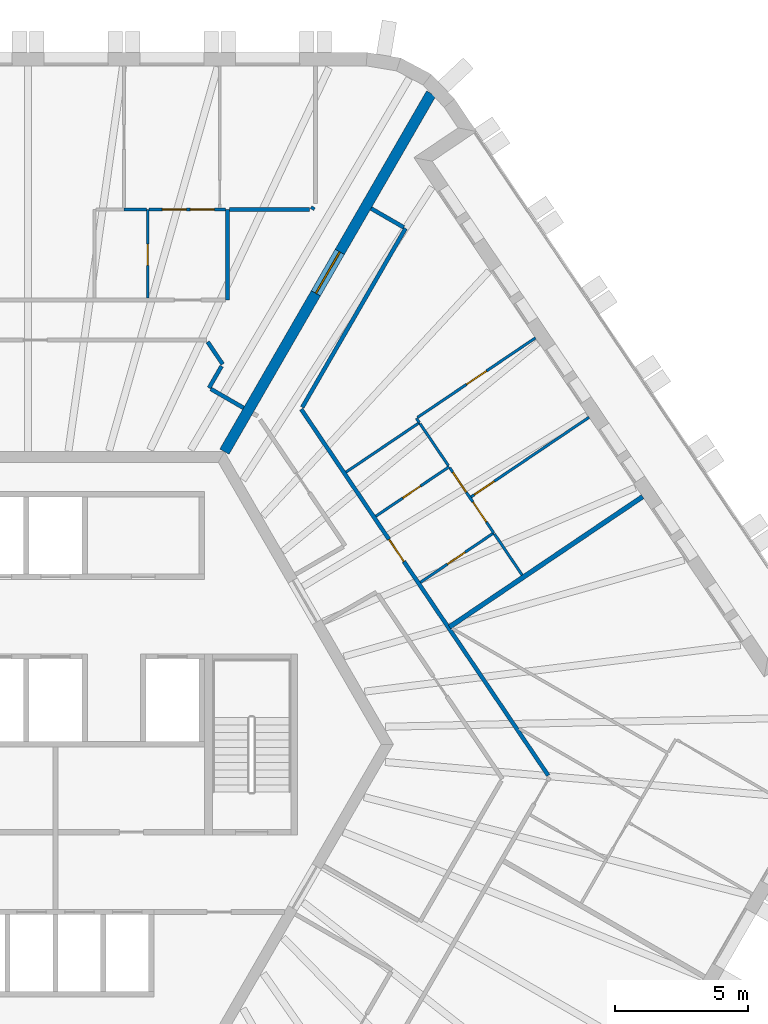
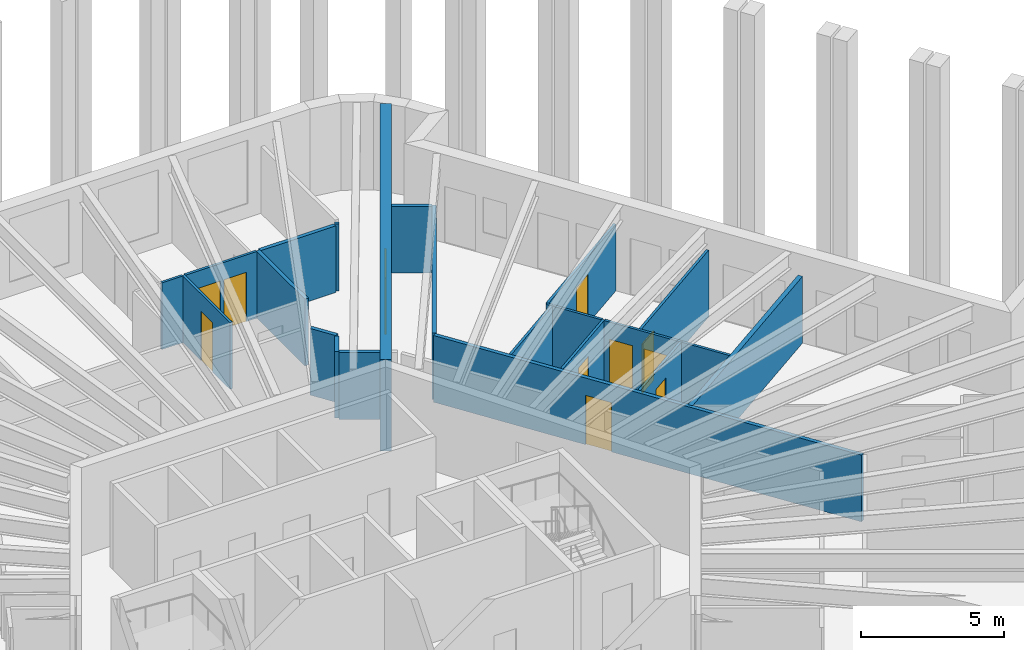
# One storey, part 10 of 13: 23 walls, 11 doors, 11 openings.
"""IFC4 building model written with IfcOpenShell, lengths in metres."""

from ifc_helpers import new_model, si_unit, direction, frame, frame_2d, origin, place, context, subcontext, project, spatial, rectangle, extrude, material, layer, layer_set, type_object, element, fill, save


model = new_model("IFC4")

# Units and contexts
model_context = context("Model", 3, precision=1e-05, world=origin(), true_north=direction((0.0, 1.0)))
body_context = subcontext(model_context, "Body", "Model", "MODEL_VIEW")
ifc_project = project(units=[si_unit("LENGTHUNIT", "METRE"), si_unit("AREAUNIT", "SQUARE_METRE"), si_unit("VOLUMEUNIT", "CUBIC_METRE"), si_unit("PLANEANGLEUNIT", "RADIAN"), si_unit("MASSUNIT", "GRAM", prefix="KILO")], contexts=[model_context])

# Site, building, storey
site_placement = place(None, origin())
site = spatial("IfcSite", under=ifc_project, at=site_placement, CompositionType="ELEMENT")
building_placement = place(site_placement, origin())
building = spatial("IfcBuilding", under=site, at=building_placement, Name="Tarnside Tower", CompositionType="ELEMENT")
storey_placement = place(building_placement, frame((0.0, 0.0, 326.39990234375)))
storey = spatial("IfcBuildingStorey", under=building, at=storey_placement, Name="L79", CompositionType="ELEMENT", Elevation=326.39990234375)

# Wall, opening, door
ifc_material_1 = material(Name="Gypsum board partition on steel studs", Category="steel")
ifc_layer_1 = layer(ifc_material_1, 0.10009765625)
ifc_layer_set_1 = layer_set([ifc_layer_1], Name="Bathroom wall 100")
wall_type_1 = type_object("IfcWallType", Name="Bathroom wall 100", PredefinedType="PARTITIONING", material=ifc_layer_set_1)
wall_1_placement = place(storey_placement, frame((3.467041015625, 20.10009765625, 0.0), z_axis=(0.0, 0.0, 1.0), x_axis=(0.0, -1.0, 0.0)))
wall_1 = element("IfcWall", 1, at=wall_1_placement, inside=storey, type_object=wall_type_1, Name="Bathroom wall 26089", PredefinedType="PARTITIONING", context=body_context, shape_type="SweptSolid", body=[
    extrude(rectangle(XDim=3.3251953125, YDim=0.10009765625, at=frame_2d((1.66259765625, 0.0))), origin(), (0.0, 0.0, 1.0), 2.837890625),
])
opening_1_placement = place(wall_1_placement, frame((1.300048828125, 0.0, 0.0)))
opening_1 = element("IfcOpeningElement", 2, at=opening_1_placement, cuts=wall_1, Name="Opening D-B1", PredefinedType="OPENING", context=body_context, shape_type="SweptSolid", body=[
    extrude(rectangle(XDim=0.800048828125, YDim=2.10009765625, at=frame_2d((0.39990234375, 1.050048828125))), frame((0.0, 0.06005859375, 0.0), z_axis=(0.0, -1.0, 0.0), x_axis=(1.0, 0.0, 0.0)), (0.0, 0.0, 1.0), 0.1201171875),
])
ifc_material_2 = material(Name="Timber door leaf", Category="wood")
door_type_1 = type_object("IfcDoorType", Name="Bathroom door 800", OperationType="NOTDEFINED", PredefinedType="DOOR", material=ifc_material_2)
door_1_placement = place(opening_1_placement, origin())
door_1 = element("IfcDoor", 3, at=door_1_placement, inside=storey, type_object=door_type_1, Name="Bathroom door 26002", OperationType="SINGLE_SWING_LEFT", OverallHeight=2.10009765625, OverallWidth=0.800048828125, PredefinedType="DOOR", context=body_context, shape_type="SweptSolid", body=[
    extrude(rectangle(XDim=0.800048828125, YDim=2.10009765625, at=frame_2d((0.39990234375, 1.050048828125))), frame((0.0, 0.02490234375, 0.0), z_axis=(0.0, -1.0, 0.0), x_axis=(1.0, 0.0, 0.0)), (0.0, 0.0, 1.0), 0.050048828125),
])
fill(opening_1, door_1)

# Walls
wall_2_placement = place(storey_placement, frame((3.419189453125, 20.10009765625, 0.0), z_axis=(0.0, 0.0, 1.0), x_axis=(-1.0, 0.0, 0.0)))
element("IfcWall", 4, at=wall_2_placement, inside=storey, type_object=wall_type_1, Name="Bathroom wall 26092", PredefinedType="PARTITIONING", context=body_context, shape_type="SweptSolid", body=[
    extrude(rectangle(XDim=0.843994140625, YDim=0.10009765625, at=frame_2d((0.421875, 0.0))), origin(), (0.0, 0.0, 1.0), 2.837890625),
])
wall_3_placement = place(storey_placement, frame((10.9208984375, 10.231201171875, 0.0), z_axis=(0.0, 0.0, 1.0), x_axis=(0.829010378124, 0.559233218759, 0.0)))
element("IfcWall", 5, at=wall_3_placement, inside=storey, type_object=wall_type_1, Name="Bathroom wall 26162", PredefinedType="PARTITIONING", context=body_context, shape_type="SweptSolid", body=[
    extrude(rectangle(XDim=3.324951171875, YDim=0.10009765625, at=frame_2d((1.66259765625, 0.0))), origin(), (0.0, 0.0, 1.0), 2.837890625),
])

# Wall, opening, door
wall_4_placement = place(storey_placement, frame((13.716796875, 6.086181640625, 0.0), z_axis=(0.0, 0.0, 1.0), x_axis=(0.829067379225, 0.559148710725, 0.0)))
wall_4 = element("IfcWall", 6, at=wall_4_placement, inside=storey, type_object=wall_type_1, Name="Bathroom wall 26163", PredefinedType="PARTITIONING", context=body_context, shape_type="SweptSolid", body=[
    extrude(rectangle(XDim=3.324951171875, YDim=0.10009765625, at=frame_2d((1.66259765625, 0.0))), origin(), (0.0, 0.0, 1.0), 2.837890625),
])
opening_2_placement = place(wall_4_placement, frame((1.22509765625, 0.0, 0.0)))
opening_2 = element("IfcOpeningElement", 7, at=opening_2_placement, cuts=wall_4, Name="Opening D-B1", PredefinedType="OPENING", context=body_context, shape_type="SweptSolid", body=[
    extrude(rectangle(XDim=0.800048828125, YDim=2.10009765625, at=frame_2d((0.39990234375, 1.050048828125))), frame((0.0, 0.06005859375, 0.0), z_axis=(0.0, -1.0, 0.0), x_axis=(1.0, 0.0, 0.0)), (0.0, 0.0, 1.0), 0.1201171875),
])
door_2_placement = place(opening_2_placement, origin())
door_2 = element("IfcDoor", 8, at=door_2_placement, inside=storey, type_object=door_type_1, Name="Bathroom door 26062", OperationType="SINGLE_SWING_RIGHT", OverallHeight=2.10009765625, OverallWidth=0.800048828125, PredefinedType="DOOR", context=body_context, shape_type="SweptSolid", body=[
    extrude(rectangle(XDim=0.800048828125, YDim=2.10009765625, at=frame_2d((0.39990234375, 1.050048828125))), frame((0.0, 0.02490234375, 0.0), z_axis=(0.0, -1.0, 0.0), x_axis=(1.0, 0.0, 0.0)), (0.0, 0.0, 1.0), 0.050048828125),
])
fill(opening_2, door_2)

wall_5_placement = place(storey_placement, frame((14.795654296875, 10.4326171875, 0.0), z_axis=(0.0, 0.0, 1.0), x_axis=(-0.82903334026, -0.559199178055, 0.0)))
wall_5 = element("IfcWall", 9, at=wall_5_placement, inside=storey, type_object=wall_type_1, Name="Bathroom wall 26166", PredefinedType="PARTITIONING", context=body_context, shape_type="SweptSolid", body=[
    extrude(rectangle(XDim=3.324951171875, YDim=0.10009765625, at=frame_2d((1.66259765625, 0.0))), origin(), (0.0, 0.0, 1.0), 2.837890625),
])
opening_3_placement = place(wall_5_placement, frame((1.300048828125, 0.0, 0.0)))
opening_3 = element("IfcOpeningElement", 10, at=opening_3_placement, cuts=wall_5, Name="Opening D-B1", PredefinedType="OPENING", context=body_context, shape_type="SweptSolid", body=[
    extrude(rectangle(XDim=0.800048828125, YDim=2.10009765625, at=frame_2d((0.39990234375, 1.050048828125))), frame((0.0, 0.06005859375, 0.0), z_axis=(0.0, -1.0, 0.0), x_axis=(1.0, 0.0, 0.0)), (0.0, 0.0, 1.0), 0.1201171875),
])
door_3_placement = place(opening_3_placement, origin())
door_3 = element("IfcDoor", 11, at=door_3_placement, inside=storey, type_object=door_type_1, Name="Bathroom door 26069", OperationType="SINGLE_SWING_LEFT", OverallHeight=2.10009765625, OverallWidth=0.800048828125, PredefinedType="DOOR", context=body_context, shape_type="SweptSolid", body=[
    extrude(rectangle(XDim=0.800048828125, YDim=2.10009765625, at=frame_2d((0.39990234375, 1.050048828125))), frame((0.0, 0.02490234375, 0.0), z_axis=(0.0, -1.0, 0.0), x_axis=(1.0, 0.0, 0.0)), (0.0, 0.0, 1.0), 0.050048828125),
])
fill(opening_3, door_3)

# Walls
wall_6_placement = place(storey_placement, frame((17.541259765625, 6.36181640625, 0.0), z_axis=(0.0, 0.0, 1.0), x_axis=(-0.559110227504, 0.829093332201, 0.0)))
element("IfcWall", 12, at=wall_6_placement, inside=storey, type_object=wall_type_1, Name="Bathroom wall 26167", PredefinedType="PARTITIONING", context=body_context, shape_type="SweptSolid", body=[
    extrude(rectangle(XDim=1.86181640625, YDim=0.10009765625, at=frame_2d((0.930908203125, 0.0))), origin(), (0.0, 0.0, 1.0), 2.837890625),
])
wall_7_placement = place(storey_placement, frame((13.705322265625, 12.049072265625, 0.0), z_axis=(0.0, 0.0, 1.0), x_axis=(0.559199178055, -0.82903334026, 0.0)))
element("IfcWall", 13, at=wall_7_placement, inside=storey, type_object=wall_type_1, Name="Bathroom wall 26169", PredefinedType="PARTITIONING", context=body_context, shape_type="SweptSolid", body=[
    extrude(rectangle(XDim=1.900146484375, YDim=0.10009765625, at=frame_2d((0.9501953125, 0.0))), origin(), (0.0, 0.0, 1.0), 2.837890625),
])

# Wall, opening, door
ifc_material_3 = material(Name="Concrete C60/75", Category="concrete")
ifc_layer_2 = layer(ifc_material_3, 0.39990234375)
ifc_layer_set_2 = layer_set([ifc_layer_2], Name="Core wall Z3 400 C60/75")
wall_type_2 = type_object("IfcWallType", Name="Core wall Z3 400 C60/75", PredefinedType="SHEAR", material=ifc_layer_set_2)
wall_8_placement = place(storey_placement, frame((6.350830078125, 11.0, -0.14990234375), z_axis=(0.0, 0.0, 1.0), x_axis=(0.499998894578, 0.866026041999, 0.0)))
wall_8 = element("IfcWall", 14, at=wall_8_placement, inside=storey, type_object=wall_type_2, Name="L79 spine wall 1", PredefinedType="SHEAR", context=body_context, shape_type="SweptSolid", body=[
    extrude(rectangle(XDim=15.54443359375, YDim=0.39990234375, at=frame_2d((7.772216796875, 0.0))), origin(), (0.0, 0.0, 1.0), 3.89990234375),
])
opening_4_placement = place(wall_8_placement, frame((6.872314453125, 0.0, 0.14990234375)))
opening_4 = element("IfcOpeningElement", 15, at=opening_4_placement, cuts=wall_8, Name="Opening CD-SPN", PredefinedType="OPENING", context=body_context, shape_type="SweptSolid", body=[
    extrude(rectangle(XDim=1.800048828125, YDim=2.39990234375, at=frame_2d((0.89990234375, 1.199951171875))), frame((0.0, 0.2099609375, 0.0), z_axis=(0.0, -1.0, 0.0), x_axis=(1.0, 0.0, 0.0)), (0.0, 0.0, 1.0), 0.419921875),
])
ifc_material_4 = material(Name="Steel fire door", Category="steel")
door_type_2 = type_object("IfcDoorType", Name="Spine passage double door FD60 1800x2400", OperationType="NOTDEFINED", PredefinedType="DOOR", material=ifc_material_4)
door_4_placement = place(opening_4_placement, origin())
door_4 = element("IfcDoor", 16, at=door_4_placement, inside=storey, type_object=door_type_2, Name="L79 spine passage door 1", OperationType="DOUBLE_DOOR_SINGLE_SWING", OverallHeight=2.39990234375, OverallWidth=1.800048828125, PredefinedType="DOOR", context=body_context, shape_type="SweptSolid", body=[
    extrude(rectangle(XDim=1.800048828125, YDim=2.39990234375, at=frame_2d((0.89990234375, 1.199951171875))), frame((0.0, 0.02490234375, 0.0), z_axis=(0.0, -1.0, 0.0), x_axis=(1.0, 0.0, 0.0)), (0.0, 0.0, 1.0), 0.050048828125),
])
fill(opening_4, door_4)

# Walls
ifc_layer_3 = layer(ifc_material_1, 0.14990234375)
ifc_layer_set_3 = layer_set([ifc_layer_3], Name="Corridor wall 150 EI 60")
wall_type_3 = type_object("IfcWallType", Name="Corridor wall 150 EI 60", PredefinedType="PARTITIONING", material=ifc_layer_set_3)
wall_9_placement = place(storey_placement, frame((6.467041015625, 20.10009765625, 0.0), z_axis=(0.0, 0.0, 1.0), x_axis=(0.0, -1.0, 0.0)))
element("IfcWall", 17, at=wall_9_placement, inside=storey, type_object=wall_type_3, Name="Corridor wall 26002", PredefinedType="PARTITIONING", context=body_context, shape_type="SweptSolid", body=[
    extrude(rectangle(XDim=3.400146484375, YDim=0.14990234375, at=frame_2d((1.7001953125, 0.0))), origin(), (0.0, 0.0, 1.0), 2.837890625),
])
wall_10_placement = place(storey_placement, frame((9.7001953125, 20.201171875, 0.0), z_axis=(0.0, 0.0, 1.0), x_axis=(-0.49996389635, -0.866046247233, 0.0)))
element("IfcWall", 18, at=wall_10_placement, inside=storey, type_object=wall_type_3, Name="Corridor wall 26006", PredefinedType="PARTITIONING", context=body_context, shape_type="SweptSolid", body=[
    extrude(rectangle(XDim=0.11669921875, YDim=0.14990234375, at=frame_2d((0.058349609375, 0.0))), origin(), (0.0, 0.0, 1.0), 2.837890625),
])
wall_11_placement = place(storey_placement, frame((9.55517578125, 20.10009765625, 0.0), z_axis=(0.0, 0.0, 1.0), x_axis=(-1.0, 0.0, 0.0)))
element("IfcWall", 19, at=wall_11_placement, inside=storey, type_object=wall_type_3, Name="Corridor wall 26007", PredefinedType="PARTITIONING", context=body_context, shape_type="SweptSolid", body=[
    extrude(rectangle(XDim=3.0166015625, YDim=0.14990234375, at=frame_2d((1.50830078125, 0.0))), origin(), (0.0, 0.0, 1.0), 2.837890625),
])
wall_12_placement = place(storey_placement, frame((5.72021484375, 15.125, 0.0), z_axis=(0.0, 0.0, 1.0), x_axis=(0.559095340605, -0.829103371187, 0.0)))
element("IfcWall", 20, at=wall_12_placement, inside=storey, type_object=wall_type_3, Name="Corridor wall 26020", PredefinedType="PARTITIONING", context=body_context, shape_type="SweptSolid", body=[
    extrude(rectangle(XDim=1.010986328125, YDim=0.14990234375, at=frame_2d((0.50537109375, 0.0))), origin(), (0.0, 0.0, 1.0), 2.837890625),
])
wall_13_placement = place(storey_placement, frame((6.243896484375, 14.214599609375, 0.0), z_axis=(0.0, 0.0, 1.0), x_axis=(-0.499998034377, -0.866026538634, 0.0)))
element("IfcWall", 21, at=wall_13_placement, inside=storey, type_object=wall_type_3, Name="Corridor wall 26021", PredefinedType="PARTITIONING", context=body_context, shape_type="SweptSolid", body=[
    extrude(rectangle(XDim=0.94580078125, YDim=0.14990234375, at=frame_2d((0.472900390625, 0.0))), origin(), (0.0, 0.0, 1.0), 2.837890625),
])
wall_14_placement = place(storey_placement, frame((5.8359375, 13.358154296875, 0.0), z_axis=(0.0, 0.0, 1.0), x_axis=(0.865988727248, -0.500063520245, 0.0)))
element("IfcWall", 22, at=wall_14_placement, inside=storey, type_object=wall_type_3, Name="Corridor wall 26022", PredefinedType="PARTITIONING", context=body_context, shape_type="SweptSolid", body=[
    extrude(rectangle(XDim=1.425048828125, YDim=0.14990234375, at=frame_2d((0.71240234375, 0.0))), origin(), (0.0, 0.0, 1.0), 2.837890625),
])

# Wall, opening, door
wall_15_placement = place(storey_placement, frame((18.52099609375, -1.170654296875, 0.0), z_axis=(0.0, 0.0, 1.0), x_axis=(-0.559191021435, 0.829038842001, 0.0)))
wall_15 = element("IfcWall", 23, at=wall_15_placement, inside=storey, type_object=wall_type_3, Name="Corridor wall 26063", PredefinedType="PARTITIONING", context=body_context, shape_type="SweptSolid", body=[
    extrude(rectangle(XDim=16.60546875, YDim=0.14990234375, at=frame_2d((8.302734375, 0.0))), origin(), (0.0, 0.0, 1.0), 2.837890625),
])
opening_5_placement = place(wall_15_placement, frame((9.70263671875, 0.0, 0.0)))
opening_5 = element("IfcOpeningElement", 24, at=opening_5_placement, cuts=wall_15, Name="Opening D-E1", PredefinedType="OPENING", context=body_context, shape_type="SweptSolid", body=[
    extrude(rectangle(XDim=1.0, YDim=2.10009765625, at=frame_2d((0.5, 1.050048828125))), frame((0.0, 0.0849609375, 0.0), z_axis=(0.0, -1.0, 0.0), x_axis=(1.0, 0.0, 0.0)), (0.0, 0.0, 1.0), 0.169921875),
])
door_type_3 = type_object("IfcDoorType", Name="Unit entrance door 1000 FD30S", OperationType="NOTDEFINED", PredefinedType="DOOR", material=ifc_material_2)
door_5_placement = place(opening_5_placement, origin())
door_5 = element("IfcDoor", 25, at=door_5_placement, inside=storey, type_object=door_type_3, Name="Unit door 26061", OperationType="SINGLE_SWING_RIGHT", OverallHeight=2.10009765625, OverallWidth=1.0, PredefinedType="DOOR", context=body_context, shape_type="SweptSolid", body=[
    extrude(rectangle(XDim=1.0, YDim=2.10009765625, at=frame_2d((0.5, 1.050048828125))), frame((0.0, 0.02490234375, 0.0), z_axis=(0.0, -1.0, 0.0), x_axis=(1.0, 0.0, 0.0)), (0.0, 0.0, 1.0), 0.050048828125),
])
fill(opening_5, door_5)

# Walls
wall_16_placement = place(storey_placement, frame((9.277099609375, 12.668212890625, 0.0), z_axis=(0.0, 0.0, 1.0), x_axis=(0.499991012162, 0.866030592853, 0.0)))
element("IfcWall", 26, at=wall_16_placement, inside=storey, type_object=wall_type_3, Name="Corridor wall 26067", PredefinedType="PARTITIONING", context=body_context, shape_type="SweptSolid", body=[
    extrude(rectangle(XDim=7.764404296875, YDim=0.14990234375, at=frame_2d((3.88232421875, 0.0))), origin(), (0.0, 0.0, 1.0), 2.837890625),
])
wall_17_placement = place(storey_placement, frame((13.09423828125, 19.429931640625, 0.0), z_axis=(0.0, 0.0, 1.0), x_axis=(-0.866062911188, 0.499935029643, 0.0)))
element("IfcWall", 27, at=wall_17_placement, inside=storey, type_object=wall_type_3, Name="Corridor wall 26068", PredefinedType="PARTITIONING", context=body_context, shape_type="SweptSolid", body=[
    extrude(rectangle(XDim=1.425048828125, YDim=0.14990234375, at=frame_2d((0.71240234375, 0.0))), origin(), (0.0, 0.0, 1.0), 2.837890625),
])
ifc_layer_4 = layer(ifc_material_1, 0.179931640625)
ifc_layer_set_4 = layer_set([ifc_layer_4], Name="Demising wall 180 EI 60")
wall_type_4 = type_object("IfcWallType", Name="Demising wall 180 EI 60", PredefinedType="PARTITIONING", material=ifc_layer_set_4)
wall_18_placement = place(storey_placement, frame((22.068603515625, 9.306884765625, 0.0), z_axis=(0.0, 0.0, 1.0), x_axis=(-0.829040270775, -0.559188903174, 0.0)))
element("IfcWall", 28, at=wall_18_placement, inside=storey, type_object=wall_type_4, Name="Demising wall 26151", PredefinedType="PARTITIONING", context=body_context, shape_type="SweptSolid", body=[
    extrude(rectangle(XDim=8.7578125, YDim=0.179931640625, at=frame_2d((4.37890625, 0.0))), origin(), (0.0, 0.0, 1.0), 2.837890625),
])

# Wall, openings, doors
ifc_layer_5 = layer(ifc_material_1, 0.10009765625)
ifc_layer_set_5 = layer_set([ifc_layer_5], Name="Partition 100")
wall_type_5 = type_object("IfcWallType", Name="Partition 100", PredefinedType="PARTITIONING", material=ifc_layer_set_5)
wall_19_placement = place(storey_placement, frame((6.39404296875, 20.10009765625, 0.0), z_axis=(0.0, 0.0, 1.0), x_axis=(-1.0, 0.0, 0.0)))
wall_19 = element("IfcWall", 29, at=wall_19_placement, inside=storey, type_object=wall_type_5, Name="Partition wall 26090", PredefinedType="PARTITIONING", context=body_context, shape_type="SweptSolid", body=[
    extrude(rectangle(XDim=2.87890625, YDim=0.10009765625, at=frame_2d((1.439453125, 0.0))), origin(), (0.0, 0.0, 1.0), 2.837890625),
])
opening_6_placement = place(wall_19_placement, frame((0.4189453125, 0.0, 0.0)))
opening_6 = element("IfcOpeningElement", 30, at=opening_6_placement, cuts=wall_19, Name="Opening D-I1", PredefinedType="OPENING", context=body_context, shape_type="SweptSolid", body=[
    extrude(rectangle(XDim=0.89990234375, YDim=2.10009765625, at=frame_2d((0.449951171875, 1.050048828125))), frame((0.0, 0.06005859375, 0.0), z_axis=(0.0, -1.0, 0.0), x_axis=(1.0, 0.0, 0.0)), (0.0, 0.0, 1.0), 0.1201171875),
])
opening_7_placement = place(wall_19_placement, frame((1.472900390625, 0.0, 0.0)))
opening_7 = element("IfcOpeningElement", 31, at=opening_7_placement, cuts=wall_19, Name="Opening D-I1", PredefinedType="OPENING", context=body_context, shape_type="SweptSolid", body=[
    extrude(rectangle(XDim=0.89990234375, YDim=2.10009765625, at=frame_2d((0.449951171875, 1.050048828125))), frame((0.0, 0.06005859375, 0.0), z_axis=(0.0, -1.0, 0.0), x_axis=(1.0, 0.0, 0.0)), (0.0, 0.0, 1.0), 0.1201171875),
])
door_type_4 = type_object("IfcDoorType", Name="Internal door 900", OperationType="NOTDEFINED", PredefinedType="DOOR", material=ifc_material_2)
door_6_placement = place(opening_6_placement, origin())
door_6 = element("IfcDoor", 32, at=door_6_placement, inside=storey, type_object=door_type_4, Name="Internal door 26005", OperationType="SINGLE_SWING_LEFT", OverallHeight=2.10009765625, OverallWidth=0.89990234375, PredefinedType="DOOR", context=body_context, shape_type="SweptSolid", body=[
    extrude(rectangle(XDim=0.89990234375, YDim=2.10009765625, at=frame_2d((0.449951171875, 1.050048828125))), frame((0.0, 0.02490234375, 0.0), z_axis=(0.0, -1.0, 0.0), x_axis=(1.0, 0.0, 0.0)), (0.0, 0.0, 1.0), 0.050048828125),
])
fill(opening_6, door_6)
door_7_placement = place(opening_7_placement, origin())
door_7 = element("IfcDoor", 33, at=door_7_placement, inside=storey, type_object=door_type_4, Name="Internal door 26009", OperationType="SINGLE_SWING_LEFT", OverallHeight=2.10009765625, OverallWidth=0.89990234375, PredefinedType="DOOR", context=body_context, shape_type="SweptSolid", body=[
    extrude(rectangle(XDim=0.89990234375, YDim=2.10009765625, at=frame_2d((0.449951171875, 1.050048828125))), frame((0.0, 0.02490234375, 0.0), z_axis=(0.0, -1.0, 0.0), x_axis=(1.0, 0.0, 0.0)), (0.0, 0.0, 1.0), 0.050048828125),
])
fill(opening_7, door_7)

# Wall
wall_20_placement = place(storey_placement, frame((13.678466796875, 12.0888671875, 0.0), z_axis=(0.0, 0.0, 1.0), x_axis=(-0.559431350648, 0.828876688001, 0.0)))
element("IfcWall", 34, at=wall_20_placement, inside=storey, type_object=wall_type_5, Name="Partition wall 26160", PredefinedType="PARTITIONING", context=body_context, shape_type="SweptSolid", body=[
    extrude(rectangle(XDim=0.2021484375, YDim=0.10009765625, at=frame_2d((0.10107421875, 0.0))), origin(), (0.0, 0.0, 1.0), 2.837890625),
])

# Wall, opening, door
wall_21_placement = place(storey_placement, frame((13.60693359375, 12.284423828125, 0.0), z_axis=(0.0, 0.0, 1.0), x_axis=(0.829033261565, 0.559199294722, 0.0)))
wall_21 = element("IfcWall", 35, at=wall_21_placement, inside=storey, type_object=wall_type_5, Name="Partition wall 26161", PredefinedType="PARTITIONING", context=body_context, shape_type="SweptSolid", body=[
    extrude(rectangle(XDim=5.349853515625, YDim=0.10009765625, at=frame_2d((2.6748046875, 0.0))), origin(), (0.0, 0.0, 1.0), 2.837890625),
])
opening_8_placement = place(wall_21_placement, frame((2.22509765625, 0.0, 0.0)))
opening_8 = element("IfcOpeningElement", 36, at=opening_8_placement, cuts=wall_21, Name="Opening D-I1", PredefinedType="OPENING", context=body_context, shape_type="SweptSolid", body=[
    extrude(rectangle(XDim=0.89990234375, YDim=2.10009765625, at=frame_2d((0.449951171875, 1.050048828125))), frame((0.0, 0.06005859375, 0.0), z_axis=(0.0, -1.0, 0.0), x_axis=(1.0, 0.0, 0.0)), (0.0, 0.0, 1.0), 0.1201171875),
])
door_8_placement = place(opening_8_placement, origin())
door_8 = element("IfcDoor", 37, at=door_8_placement, inside=storey, type_object=door_type_4, Name="Internal door 26071", OperationType="SINGLE_SWING_RIGHT", OverallHeight=2.10009765625, OverallWidth=0.89990234375, PredefinedType="DOOR", context=body_context, shape_type="SweptSolid", body=[
    extrude(rectangle(XDim=0.89990234375, YDim=2.10009765625, at=frame_2d((0.449951171875, 1.050048828125))), frame((0.0, 0.02490234375, 0.0), z_axis=(0.0, -1.0, 0.0), x_axis=(1.0, 0.0, 0.0)), (0.0, 0.0, 1.0), 0.050048828125),
])
fill(opening_8, door_8)

# Wall, openings, doors
wall_22_placement = place(storey_placement, frame((16.474365234375, 7.94384765625, 0.0), z_axis=(0.0, 0.0, 1.0), x_axis=(-0.559193191328, 0.829037378393, 0.0)))
wall_22 = element("IfcWall", 38, at=wall_22_placement, inside=storey, type_object=wall_type_5, Name="Partition wall 26164", PredefinedType="PARTITIONING", context=body_context, shape_type="SweptSolid", body=[
    extrude(rectangle(XDim=2.9541015625, YDim=0.10009765625, at=frame_2d((1.47705078125, 0.0))), origin(), (0.0, 0.0, 1.0), 2.837890625),
])
opening_9_placement = place(wall_22_placement, frame((0.501953125, 0.0, 0.0)))
opening_9 = element("IfcOpeningElement", 39, at=opening_9_placement, cuts=wall_22, Name="Opening D-I1", PredefinedType="OPENING", context=body_context, shape_type="SweptSolid", body=[
    extrude(rectangle(XDim=0.89990234375, YDim=2.10009765625, at=frame_2d((0.449951171875, 1.050048828125))), frame((0.0, 0.06005859375, 0.0), z_axis=(0.0, -1.0, 0.0), x_axis=(1.0, 0.0, 0.0)), (0.0, 0.0, 1.0), 0.1201171875),
])
opening_10_placement = place(wall_22_placement, frame((1.85205078125, 0.0, 0.0)))
opening_10 = element("IfcOpeningElement", 40, at=opening_10_placement, cuts=wall_22, Name="Opening D-I1", PredefinedType="OPENING", context=body_context, shape_type="SweptSolid", body=[
    extrude(rectangle(XDim=0.89990234375, YDim=2.10009765625, at=frame_2d((0.449951171875, 1.050048828125))), frame((0.0, 0.06005859375, 0.0), z_axis=(0.0, -1.0, 0.0), x_axis=(1.0, 0.0, 0.0)), (0.0, 0.0, 1.0), 0.1201171875),
])
door_9_placement = place(opening_9_placement, origin())
door_9 = element("IfcDoor", 41, at=door_9_placement, inside=storey, type_object=door_type_4, Name="Internal door 26064", OperationType="SINGLE_SWING_LEFT", OverallHeight=2.10009765625, OverallWidth=0.89990234375, PredefinedType="DOOR", context=body_context, shape_type="SweptSolid", body=[
    extrude(rectangle(XDim=0.89990234375, YDim=2.10009765625, at=frame_2d((0.449951171875, 1.050048828125))), frame((0.0, 0.02490234375, 0.0), z_axis=(0.0, -1.0, 0.0), x_axis=(1.0, 0.0, 0.0)), (0.0, 0.0, 1.0), 0.050048828125),
])
fill(opening_9, door_9)
door_10_placement = place(opening_10_placement, origin())
door_10 = element("IfcDoor", 42, at=door_10_placement, inside=storey, type_object=door_type_4, Name="Internal door 26068", OperationType="SINGLE_SWING_RIGHT", OverallHeight=2.10009765625, OverallWidth=0.89990234375, PredefinedType="DOOR", context=body_context, shape_type="SweptSolid", body=[
    extrude(rectangle(XDim=0.89990234375, YDim=2.10009765625, at=frame_2d((0.449951171875, 1.050048828125))), frame((0.0, 0.02490234375, 0.0), z_axis=(0.0, -1.0, 0.0), x_axis=(1.0, 0.0, 0.0)), (0.0, 0.0, 1.0), 0.050048828125),
])
fill(opening_10, door_10)

# Wall, opening, door
wall_23_placement = place(storey_placement, frame((20.055419921875, 12.29150390625, 0.0), z_axis=(0.0, 0.0, 1.0), x_axis=(-0.829033261565, -0.559199294722, 0.0)))
wall_23 = element("IfcWall", 43, at=wall_23_placement, inside=storey, type_object=wall_type_5, Name="Partition wall 26168", PredefinedType="PARTITIONING", context=body_context, shape_type="SweptSolid", body=[
    extrude(rectangle(XDim=5.349853515625, YDim=0.10009765625, at=frame_2d((2.6748046875, 0.0))), origin(), (0.0, 0.0, 1.0), 2.837890625),
])
opening_11_placement = place(wall_23_placement, frame((4.300048828125, 0.0, 0.0)))
opening_11 = element("IfcOpeningElement", 44, at=opening_11_placement, cuts=wall_23, Name="Opening D-I1", PredefinedType="OPENING", context=body_context, shape_type="SweptSolid", body=[
    extrude(rectangle(XDim=0.89990234375, YDim=2.10009765625, at=frame_2d((0.449951171875, 1.050048828125))), frame((0.0, 0.06005859375, 0.0), z_axis=(0.0, -1.0, 0.0), x_axis=(1.0, 0.0, 0.0)), (0.0, 0.0, 1.0), 0.1201171875),
])
door_11_placement = place(opening_11_placement, origin())
door_11 = element("IfcDoor", 45, at=door_11_placement, inside=storey, type_object=door_type_4, Name="Internal door 26067", OperationType="SINGLE_SWING_RIGHT", OverallHeight=2.10009765625, OverallWidth=0.89990234375, PredefinedType="DOOR", context=body_context, shape_type="SweptSolid", body=[
    extrude(rectangle(XDim=0.89990234375, YDim=2.10009765625, at=frame_2d((0.449951171875, 1.050048828125))), frame((0.0, 0.02490234375, 0.0), z_axis=(0.0, -1.0, 0.0), x_axis=(1.0, 0.0, 0.0)), (0.0, 0.0, 1.0), 0.050048828125),
])
fill(opening_11, door_11)

save(model, "model.ifc")
